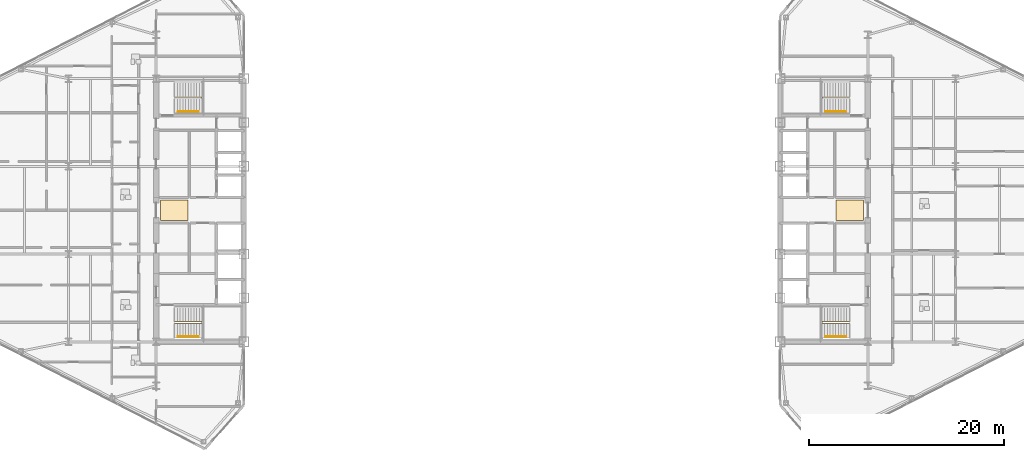
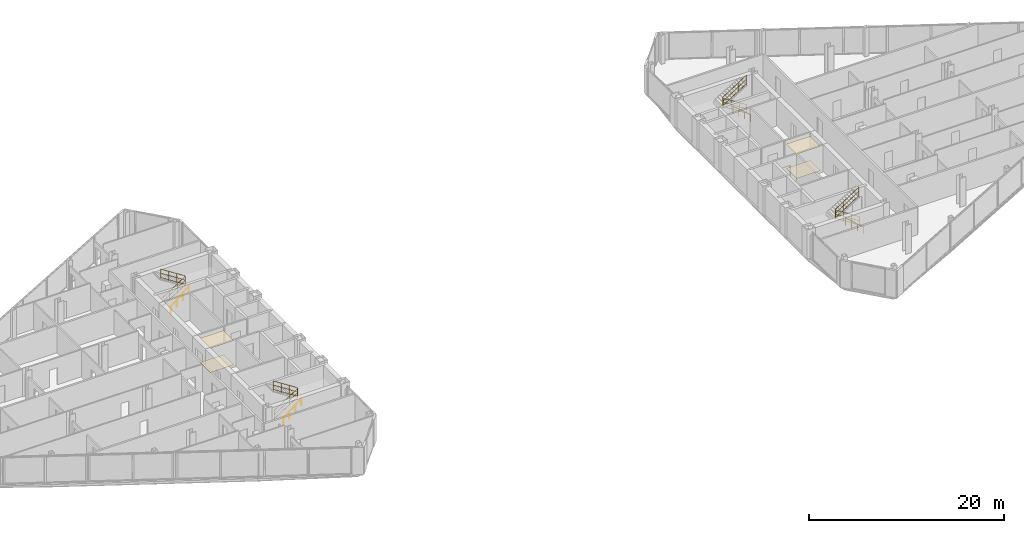
# One storey, part 23 of 24: 8 railings, 4 coverings.
"""IFC4 building model written with IfcOpenShell, lengths in metres."""

from ifc_helpers import new_model, si_unit, direction, frame, origin, origin_2d, place, context, subcontext, project, spatial, polyline, circle, outline, extrude, material, layer, layer_set, type_object, element, save


model = new_model("IFC4")

# Units and contexts
model_context = context("Model", 3, precision=1e-05, world=origin(), true_north=direction((0.0, 1.0)))
body_context = subcontext(model_context, "Body", "Model", "MODEL_VIEW")
ifc_project = project(units=[si_unit("LENGTHUNIT", "METRE"), si_unit("AREAUNIT", "SQUARE_METRE"), si_unit("VOLUMEUNIT", "CUBIC_METRE"), si_unit("PLANEANGLEUNIT", "RADIAN"), si_unit("MASSUNIT", "GRAM", prefix="KILO")], contexts=[model_context])

# Site, building, storey
site_placement = place(None, origin())
site = spatial("IfcSite", under=ifc_project, at=site_placement, CompositionType="ELEMENT")
building_placement = place(site_placement, origin())
building = spatial("IfcBuilding", under=site, at=building_placement, Name="Seokmaru Belvedere", CompositionType="ELEMENT")
storey_placement = place(building_placement, frame((0.0, 0.0, 140.39990234375)))
storey = spatial("IfcBuildingStorey", under=building, at=storey_placement, Name="L37", CompositionType="ELEMENT", Elevation=140.39990234375)

# Coverings
ifc_material_1 = material(Name="Engineered White Oak Timber", Category="wood")
ifc_layer_1 = layer(ifc_material_1, 0.02197265625)
ifc_layer_set_1 = layer_set([ifc_layer_1], Name="Engineered White Oak Timber")
covering_type_1 = type_object("IfcCoveringType", Name="Engineered Oak Residence Floor Finish 22", PredefinedType="FLOORING", material=ifc_layer_set_1)
covering_1_placement = place(storey_placement, origin())
element("IfcCovering", 1, at=covering_1_placement, inside=storey, type_object=covering_type_1, Name="L37 W Foyer Floor Finish", PredefinedType="FLOORING", context=body_context, shape_type="SweptSolid", body=[
    extrude(outline(polyline([(-36.050048828125, -1.050048828125), (-33.25, -1.050048828125), (-33.25, 1.050048828125), (-36.050048828125, 1.050048828125), (-36.050048828125, -1.050048828125)])), origin(), (0.0, 0.0, 1.0), 0.022216796875),
])
covering_2_placement = place(storey_placement, origin())
element("IfcCovering", 2, at=covering_2_placement, inside=storey, type_object=covering_type_1, Name="L37 E Foyer Floor Finish", PredefinedType="FLOORING", context=body_context, shape_type="SweptSolid", body=[
    extrude(outline(polyline([(33.25, -1.050048828125), (36.050048828125, -1.050048828125), (36.050048828125, 1.050048828125), (33.25, 1.050048828125), (33.25, -1.050048828125)])), origin(), (0.0, 0.0, 1.0), 0.022216796875),
])
ifc_material_2 = material(Name="Fire-Rated Gypsum Shaftwall")
ifc_layer_2 = layer(ifc_material_2, 0.02490234375)
ifc_layer_set_2 = layer_set([ifc_layer_2], Name="Fire-Rated Gypsum Shaftwall")
covering_type_2 = type_object("IfcCoveringType", Name="Perforated Acoustic Gypsum Suspended Ceiling 25", PredefinedType="CEILING", material=ifc_layer_set_2)
covering_3_placement = place(storey_placement, frame((0.0, 0.0, 3.030029296875)))
element("IfcCovering", 3, at=covering_3_placement, inside=storey, type_object=covering_type_2, Name="L37 W Lift Foyer Acoustic Ceiling", PredefinedType="CEILING", context=body_context, shape_type="SweptSolid", body=[
    extrude(outline(polyline([(-36.050048828125, -1.050048828125), (-33.25, -1.050048828125), (-33.25, 1.050048828125), (-36.050048828125, 1.050048828125), (-36.050048828125, -1.050048828125)])), origin(), (0.0, 0.0, 1.0), 0.025146484375),
])
covering_4_placement = place(storey_placement, frame((0.0, 0.0, 3.030029296875)))
element("IfcCovering", 4, at=covering_4_placement, inside=storey, type_object=covering_type_2, Name="L37 E Lift Foyer Acoustic Ceiling", PredefinedType="CEILING", context=body_context, shape_type="SweptSolid", body=[
    extrude(outline(polyline([(33.25, -1.050048828125), (36.050048828125, -1.050048828125), (36.050048828125, 1.050048828125), (33.25, 1.050048828125), (33.25, -1.050048828125)])), origin(), (0.0, 0.0, 1.0), 0.025146484375),
])

# Railings
ifc_material_3 = material(Name="Stainless Steel 316", Category="steel")
railing_type_1 = type_object("IfcRailingType", Name="Stainless Steel Wall and Flight Handrail 900", PredefinedType="HANDRAIL", material=ifc_material_3)
for number, where, name in (
    (5, (-34.25, -12.949951171875, 0.0), "L37 Stair ST-W1 Wall Handrail"),
    (6, (-34.25, 10.110107421875, 0.0), "L37 Stair ST-W2 Wall Handrail"),
):
    element("IfcRailing", number, at=place(storey_placement, frame(where)), inside=storey, type_object=railing_type_1, Name=name, PredefinedType="HANDRAIL", context=body_context, shape_type="SweptSolid", body=[
        extrude(circle(Radius=0.02392578125, at=origin_2d()), frame((0.0, 0.0, 0.8759765625), z_axis=(0.759262832861, 0.0, 0.650784104474), x_axis=(0.0, 1.0, 0.0)), (0.0, 0.0, 1.0), 2.765869140625),
        extrude(circle(Radius=0.02099609375, at=origin_2d()), origin(), (0.0, 0.0, 1.0), 0.851806640625),
        extrude(circle(Radius=0.02099609375, at=origin_2d()), frame((0.699951171875, 0.0, 0.60009765625)), (0.0, 0.0, 1.0), 0.851806640625),
        extrude(circle(Radius=0.02099609375, at=origin_2d()), frame((1.400146484375, 0.0, 1.199951171875)), (0.0, 0.0, 1.0), 0.851806640625),
        extrude(circle(Radius=0.02099609375, at=origin_2d()), frame((2.10009765625, 0.0, 1.800048828125)), (0.0, 0.0, 1.0), 0.851806640625),
    ])
for number, where, name in (
    (7, (34.25, -12.949951171875, 0.0), "L37 Stair ST-E1 Wall Handrail"),
    (8, (34.25, 10.110107421875, 0.0), "L37 Stair ST-E2 Wall Handrail"),
):
    element("IfcRailing", number, at=place(storey_placement, frame(where)), inside=storey, type_object=railing_type_1, Name=name, PredefinedType="HANDRAIL", context=body_context, shape_type="SweptSolid", body=[
        extrude(circle(Radius=0.02392578125, at=origin_2d()), frame((0.0, 0.0, 0.8759765625), z_axis=(-0.759262832861, 0.0, 0.650784104474), x_axis=(0.0, -1.0, 0.0)), (0.0, 0.0, 1.0), 2.765869140625),
        extrude(circle(Radius=0.02099609375, at=origin_2d()), origin(), (0.0, 0.0, 1.0), 0.851806640625),
        extrude(circle(Radius=0.02099609375, at=origin_2d()), frame((-0.699951171875, 0.0, 0.60009765625)), (0.0, 0.0, 1.0), 0.851806640625),
        extrude(circle(Radius=0.02099609375, at=origin_2d()), frame((-1.400146484375, 0.0, 1.199951171875)), (0.0, 0.0, 1.0), 0.851806640625),
        extrude(circle(Radius=0.02099609375, at=origin_2d()), frame((-2.10009765625, 0.0, 1.800048828125)), (0.0, 0.0, 1.0), 0.851806640625),
    ])
railing_type_2 = type_object("IfcRailingType", Name="Stair Well and Atrium Steel Guardrail 1200", PredefinedType="GUARDRAIL", material=ifc_material_3)
railing_1_placement = place(storey_placement, frame((-34.60009765625, -11.60009765625, 0.0)))
element("IfcRailing", 9, at=railing_1_placement, inside=storey, type_object=railing_type_2, Name="L37 Stair ST-W1 Inner Well Guardrail", PredefinedType="GUARDRAIL", context=body_context, shape_type="SweptSolid", body=[
    extrude(circle(Radius=0.02392578125, at=origin_2d()), frame((0.0, 0.0, 1.17578125), z_axis=(0.841176092368, 0.0, 0.540761298198), x_axis=(0.0, 1.0, 0.0)), (0.0, 0.0, 1.0), 3.32861328125),
    extrude(circle(Radius=0.02392578125, at=origin_2d()), frame((0.0, 0.0, 0.1201171875), z_axis=(0.841176092368, 0.0, 0.540761298198), x_axis=(0.0, 1.0, 0.0)), (0.0, 0.0, 1.0), 3.32861328125),
    extrude(circle(Radius=0.02392578125, at=origin_2d()), frame((0.0, 0.0, 0.659912109375), z_axis=(0.841176092368, 0.0, 0.540761298198), x_axis=(0.0, 1.0, 0.0)), (0.0, 0.0, 1.0), 3.32861328125),
    extrude(circle(Radius=0.02392578125, at=origin_2d()), frame((2.800048828125, 0.0, 2.97607421875), z_axis=(0.0, 1.0, 0.0), x_axis=(-1.0, 0.0, 0.0)), (0.0, 0.0, 1.0), 0.14013671875),
    extrude(circle(Radius=0.02392578125, at=origin_2d()), frame((2.800048828125, 0.0, 1.920166015625), z_axis=(0.0, 1.0, 0.0), x_axis=(-1.0, 0.0, 0.0)), (0.0, 0.0, 1.0), 0.14013671875),
    extrude(circle(Radius=0.02392578125, at=origin_2d()), frame((2.800048828125, 0.0, 2.4599609375), z_axis=(0.0, 1.0, 0.0), x_axis=(-1.0, 0.0, 0.0)), (0.0, 0.0, 1.0), 0.14013671875),
    extrude(circle(Radius=0.02392578125, at=origin_2d()), frame((2.800048828125, 0.14013671875, 2.97607421875), z_axis=(-0.841176092368, 0.0, 0.540761298198), x_axis=(0.0, -1.0, 0.0)), (0.0, 0.0, 1.0), 3.32861328125),
    extrude(circle(Radius=0.02392578125, at=origin_2d()), frame((2.800048828125, 0.14013671875, 1.920166015625), z_axis=(-0.841176092368, 0.0, 0.540761298198), x_axis=(0.0, -1.0, 0.0)), (0.0, 0.0, 1.0), 3.32861328125),
    extrude(circle(Radius=0.02392578125, at=origin_2d()), frame((2.800048828125, 0.14013671875, 2.4599609375), z_axis=(-0.841176092368, 0.0, 0.540761298198), x_axis=(0.0, -1.0, 0.0)), (0.0, 0.0, 1.0), 3.32861328125),
    extrude(circle(Radius=0.02099609375, at=origin_2d()), origin(), (0.0, 0.0, 1.0), 1.15185546875),
    extrude(circle(Radius=0.02099609375, at=origin_2d()), frame((0.933349609375, 0.0, 0.60009765625)), (0.0, 0.0, 1.0), 1.15185546875),
    extrude(circle(Radius=0.02099609375, at=origin_2d()), frame((1.86669921875, 0.0, 1.199951171875)), (0.0, 0.0, 1.0), 1.15185546875),
    extrude(circle(Radius=0.02099609375, at=origin_2d()), frame((2.800048828125, 0.0, 1.800048828125)), (0.0, 0.0, 1.0), 1.15185546875),
    extrude(circle(Radius=0.02099609375, at=origin_2d()), frame((2.800048828125, 0.14013671875, 1.800048828125)), (0.0, 0.0, 1.0), 1.15185546875),
    extrude(circle(Radius=0.02099609375, at=origin_2d()), frame((1.86669921875, 0.14013671875, 2.400146484375)), (0.0, 0.0, 1.0), 1.15185546875),
    extrude(circle(Radius=0.02099609375, at=origin_2d()), frame((0.933349609375, 0.14013671875, 3.0)), (0.0, 0.0, 1.0), 1.15185546875),
    extrude(circle(Radius=0.02099609375, at=origin_2d()), frame((0.0, 0.14013671875, 3.60009765625)), (0.0, 0.0, 1.0), 1.15185546875),
])
railing_2_placement = place(storey_placement, frame((-34.60009765625, 11.4599609375, 0.0)))
element("IfcRailing", 10, at=railing_2_placement, inside=storey, type_object=railing_type_2, Name="L37 Stair ST-W2 Inner Well Guardrail", PredefinedType="GUARDRAIL", context=body_context, shape_type="SweptSolid", body=[
    extrude(circle(Radius=0.02392578125, at=origin_2d()), frame((0.0, 0.0, 1.17578125), z_axis=(0.841176092368, 0.0, 0.540761298198), x_axis=(0.0, 1.0, 0.0)), (0.0, 0.0, 1.0), 3.32861328125),
    extrude(circle(Radius=0.02392578125, at=origin_2d()), frame((0.0, 0.0, 0.1201171875), z_axis=(0.841176092368, 0.0, 0.540761298198), x_axis=(0.0, 1.0, 0.0)), (0.0, 0.0, 1.0), 3.32861328125),
    extrude(circle(Radius=0.02392578125, at=origin_2d()), frame((0.0, 0.0, 0.659912109375), z_axis=(0.841176092368, 0.0, 0.540761298198), x_axis=(0.0, 1.0, 0.0)), (0.0, 0.0, 1.0), 3.32861328125),
    extrude(circle(Radius=0.02392578125, at=origin_2d()), frame((2.800048828125, 0.0, 2.97607421875), z_axis=(0.0, 1.0, 0.0), x_axis=(-1.0, 0.0, 0.0)), (0.0, 0.0, 1.0), 0.14013671875),
    extrude(circle(Radius=0.02392578125, at=origin_2d()), frame((2.800048828125, 0.0, 1.920166015625), z_axis=(0.0, 1.0, 0.0), x_axis=(-1.0, 0.0, 0.0)), (0.0, 0.0, 1.0), 0.14013671875),
    extrude(circle(Radius=0.02392578125, at=origin_2d()), frame((2.800048828125, 0.0, 2.4599609375), z_axis=(0.0, 1.0, 0.0), x_axis=(-1.0, 0.0, 0.0)), (0.0, 0.0, 1.0), 0.14013671875),
    extrude(circle(Radius=0.02392578125, at=origin_2d()), frame((2.800048828125, 0.14013671875, 2.97607421875), z_axis=(-0.841176092368, 0.0, 0.540761298198), x_axis=(0.0, -1.0, 0.0)), (0.0, 0.0, 1.0), 3.32861328125),
    extrude(circle(Radius=0.02392578125, at=origin_2d()), frame((2.800048828125, 0.14013671875, 1.920166015625), z_axis=(-0.841176092368, 0.0, 0.540761298198), x_axis=(0.0, -1.0, 0.0)), (0.0, 0.0, 1.0), 3.32861328125),
    extrude(circle(Radius=0.02392578125, at=origin_2d()), frame((2.800048828125, 0.14013671875, 2.4599609375), z_axis=(-0.841176092368, 0.0, 0.540761298198), x_axis=(0.0, -1.0, 0.0)), (0.0, 0.0, 1.0), 3.32861328125),
    extrude(circle(Radius=0.02099609375, at=origin_2d()), origin(), (0.0, 0.0, 1.0), 1.15185546875),
    extrude(circle(Radius=0.02099609375, at=origin_2d()), frame((0.933349609375, 0.0, 0.60009765625)), (0.0, 0.0, 1.0), 1.15185546875),
    extrude(circle(Radius=0.02099609375, at=origin_2d()), frame((1.86669921875, 0.0, 1.199951171875)), (0.0, 0.0, 1.0), 1.15185546875),
    extrude(circle(Radius=0.02099609375, at=origin_2d()), frame((2.800048828125, 0.0, 1.800048828125)), (0.0, 0.0, 1.0), 1.15185546875),
    extrude(circle(Radius=0.02099609375, at=origin_2d()), frame((2.800048828125, 0.14013671875, 1.800048828125)), (0.0, 0.0, 1.0), 1.15185546875),
    extrude(circle(Radius=0.02099609375, at=origin_2d()), frame((1.86669921875, 0.14013671875, 2.400146484375)), (0.0, 0.0, 1.0), 1.15185546875),
    extrude(circle(Radius=0.02099609375, at=origin_2d()), frame((0.933349609375, 0.14013671875, 3.0)), (0.0, 0.0, 1.0), 1.15185546875),
    extrude(circle(Radius=0.02099609375, at=origin_2d()), frame((0.0, 0.14013671875, 3.60009765625)), (0.0, 0.0, 1.0), 1.15185546875),
])
railing_3_placement = place(storey_placement, frame((34.60009765625, -11.60009765625, 0.0)))
element("IfcRailing", 11, at=railing_3_placement, inside=storey, type_object=railing_type_2, Name="L37 Stair ST-E1 Inner Well Guardrail", PredefinedType="GUARDRAIL", context=body_context, shape_type="SweptSolid", body=[
    extrude(circle(Radius=0.02392578125, at=origin_2d()), frame((0.0, 0.0, 1.17578125), z_axis=(-0.841176092368, 0.0, 0.540761298198), x_axis=(0.0, -1.0, 0.0)), (0.0, 0.0, 1.0), 3.32861328125),
    extrude(circle(Radius=0.02392578125, at=origin_2d()), frame((0.0, 0.0, 0.1201171875), z_axis=(-0.841176092368, 0.0, 0.540761298198), x_axis=(0.0, -1.0, 0.0)), (0.0, 0.0, 1.0), 3.32861328125),
    extrude(circle(Radius=0.02392578125, at=origin_2d()), frame((0.0, 0.0, 0.659912109375), z_axis=(-0.841176092368, 0.0, 0.540761298198), x_axis=(0.0, -1.0, 0.0)), (0.0, 0.0, 1.0), 3.32861328125),
    extrude(circle(Radius=0.02392578125, at=origin_2d()), frame((-2.800048828125, 0.0, 2.97607421875), z_axis=(0.0, 1.0, 0.0), x_axis=(-1.0, 0.0, 0.0)), (0.0, 0.0, 1.0), 0.14013671875),
    extrude(circle(Radius=0.02392578125, at=origin_2d()), frame((-2.800048828125, 0.0, 1.920166015625), z_axis=(0.0, 1.0, 0.0), x_axis=(-1.0, 0.0, 0.0)), (0.0, 0.0, 1.0), 0.14013671875),
    extrude(circle(Radius=0.02392578125, at=origin_2d()), frame((-2.800048828125, 0.0, 2.4599609375), z_axis=(0.0, 1.0, 0.0), x_axis=(-1.0, 0.0, 0.0)), (0.0, 0.0, 1.0), 0.14013671875),
    extrude(circle(Radius=0.02392578125, at=origin_2d()), frame((-2.800048828125, 0.14013671875, 2.97607421875), z_axis=(0.841176092368, 0.0, 0.540761298198), x_axis=(0.0, 1.0, 0.0)), (0.0, 0.0, 1.0), 3.32861328125),
    extrude(circle(Radius=0.02392578125, at=origin_2d()), frame((-2.800048828125, 0.14013671875, 1.920166015625), z_axis=(0.841176092368, 0.0, 0.540761298198), x_axis=(0.0, 1.0, 0.0)), (0.0, 0.0, 1.0), 3.32861328125),
    extrude(circle(Radius=0.02392578125, at=origin_2d()), frame((-2.800048828125, 0.14013671875, 2.4599609375), z_axis=(0.841176092368, 0.0, 0.540761298198), x_axis=(0.0, 1.0, 0.0)), (0.0, 0.0, 1.0), 3.32861328125),
    extrude(circle(Radius=0.02099609375, at=origin_2d()), origin(), (0.0, 0.0, 1.0), 1.15185546875),
    extrude(circle(Radius=0.02099609375, at=origin_2d()), frame((-0.933349609375, 0.0, 0.60009765625)), (0.0, 0.0, 1.0), 1.15185546875),
    extrude(circle(Radius=0.02099609375, at=origin_2d()), frame((-1.86669921875, 0.0, 1.199951171875)), (0.0, 0.0, 1.0), 1.15185546875),
    extrude(circle(Radius=0.02099609375, at=origin_2d()), frame((-2.800048828125, 0.0, 1.800048828125)), (0.0, 0.0, 1.0), 1.15185546875),
    extrude(circle(Radius=0.02099609375, at=origin_2d()), frame((-2.800048828125, 0.14013671875, 1.800048828125)), (0.0, 0.0, 1.0), 1.15185546875),
    extrude(circle(Radius=0.02099609375, at=origin_2d()), frame((-1.86669921875, 0.14013671875, 2.400146484375)), (0.0, 0.0, 1.0), 1.15185546875),
    extrude(circle(Radius=0.02099609375, at=origin_2d()), frame((-0.933349609375, 0.14013671875, 3.0)), (0.0, 0.0, 1.0), 1.15185546875),
    extrude(circle(Radius=0.02099609375, at=origin_2d()), frame((0.0, 0.14013671875, 3.60009765625)), (0.0, 0.0, 1.0), 1.15185546875),
])
railing_4_placement = place(storey_placement, frame((34.60009765625, 11.4599609375, 0.0)))
element("IfcRailing", 12, at=railing_4_placement, inside=storey, type_object=railing_type_2, Name="L37 Stair ST-E2 Inner Well Guardrail", PredefinedType="GUARDRAIL", context=body_context, shape_type="SweptSolid", body=[
    extrude(circle(Radius=0.02392578125, at=origin_2d()), frame((0.0, 0.0, 1.17578125), z_axis=(-0.841176092368, 0.0, 0.540761298198), x_axis=(0.0, -1.0, 0.0)), (0.0, 0.0, 1.0), 3.32861328125),
    extrude(circle(Radius=0.02392578125, at=origin_2d()), frame((0.0, 0.0, 0.1201171875), z_axis=(-0.841176092368, 0.0, 0.540761298198), x_axis=(0.0, -1.0, 0.0)), (0.0, 0.0, 1.0), 3.32861328125),
    extrude(circle(Radius=0.02392578125, at=origin_2d()), frame((0.0, 0.0, 0.659912109375), z_axis=(-0.841176092368, 0.0, 0.540761298198), x_axis=(0.0, -1.0, 0.0)), (0.0, 0.0, 1.0), 3.32861328125),
    extrude(circle(Radius=0.02392578125, at=origin_2d()), frame((-2.800048828125, 0.0, 2.97607421875), z_axis=(0.0, 1.0, 0.0), x_axis=(-1.0, 0.0, 0.0)), (0.0, 0.0, 1.0), 0.14013671875),
    extrude(circle(Radius=0.02392578125, at=origin_2d()), frame((-2.800048828125, 0.0, 1.920166015625), z_axis=(0.0, 1.0, 0.0), x_axis=(-1.0, 0.0, 0.0)), (0.0, 0.0, 1.0), 0.14013671875),
    extrude(circle(Radius=0.02392578125, at=origin_2d()), frame((-2.800048828125, 0.0, 2.4599609375), z_axis=(0.0, 1.0, 0.0), x_axis=(-1.0, 0.0, 0.0)), (0.0, 0.0, 1.0), 0.14013671875),
    extrude(circle(Radius=0.02392578125, at=origin_2d()), frame((-2.800048828125, 0.14013671875, 2.97607421875), z_axis=(0.841176092368, 0.0, 0.540761298198), x_axis=(0.0, 1.0, 0.0)), (0.0, 0.0, 1.0), 3.32861328125),
    extrude(circle(Radius=0.02392578125, at=origin_2d()), frame((-2.800048828125, 0.14013671875, 1.920166015625), z_axis=(0.841176092368, 0.0, 0.540761298198), x_axis=(0.0, 1.0, 0.0)), (0.0, 0.0, 1.0), 3.32861328125),
    extrude(circle(Radius=0.02392578125, at=origin_2d()), frame((-2.800048828125, 0.14013671875, 2.4599609375), z_axis=(0.841176092368, 0.0, 0.540761298198), x_axis=(0.0, 1.0, 0.0)), (0.0, 0.0, 1.0), 3.32861328125),
    extrude(circle(Radius=0.02099609375, at=origin_2d()), origin(), (0.0, 0.0, 1.0), 1.15185546875),
    extrude(circle(Radius=0.02099609375, at=origin_2d()), frame((-0.933349609375, 0.0, 0.60009765625)), (0.0, 0.0, 1.0), 1.15185546875),
    extrude(circle(Radius=0.02099609375, at=origin_2d()), frame((-1.86669921875, 0.0, 1.199951171875)), (0.0, 0.0, 1.0), 1.15185546875),
    extrude(circle(Radius=0.02099609375, at=origin_2d()), frame((-2.800048828125, 0.0, 1.800048828125)), (0.0, 0.0, 1.0), 1.15185546875),
    extrude(circle(Radius=0.02099609375, at=origin_2d()), frame((-2.800048828125, 0.14013671875, 1.800048828125)), (0.0, 0.0, 1.0), 1.15185546875),
    extrude(circle(Radius=0.02099609375, at=origin_2d()), frame((-1.86669921875, 0.14013671875, 2.400146484375)), (0.0, 0.0, 1.0), 1.15185546875),
    extrude(circle(Radius=0.02099609375, at=origin_2d()), frame((-0.933349609375, 0.14013671875, 3.0)), (0.0, 0.0, 1.0), 1.15185546875),
    extrude(circle(Radius=0.02099609375, at=origin_2d()), frame((0.0, 0.14013671875, 3.60009765625)), (0.0, 0.0, 1.0), 1.15185546875),
])

save(model, "model.ifc")
